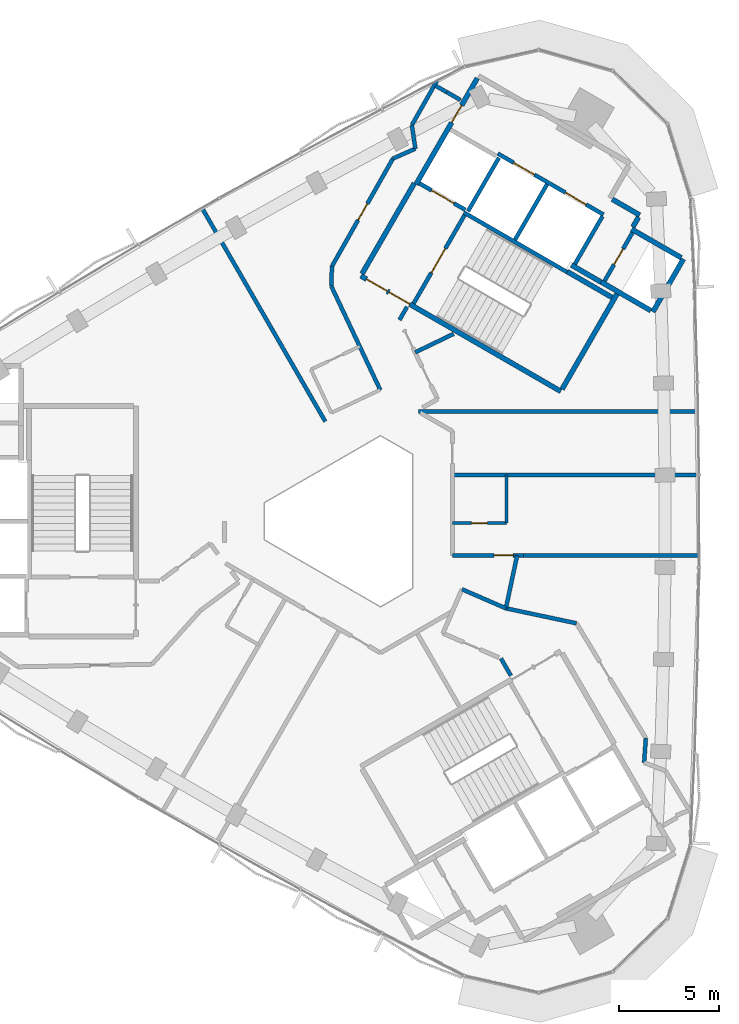
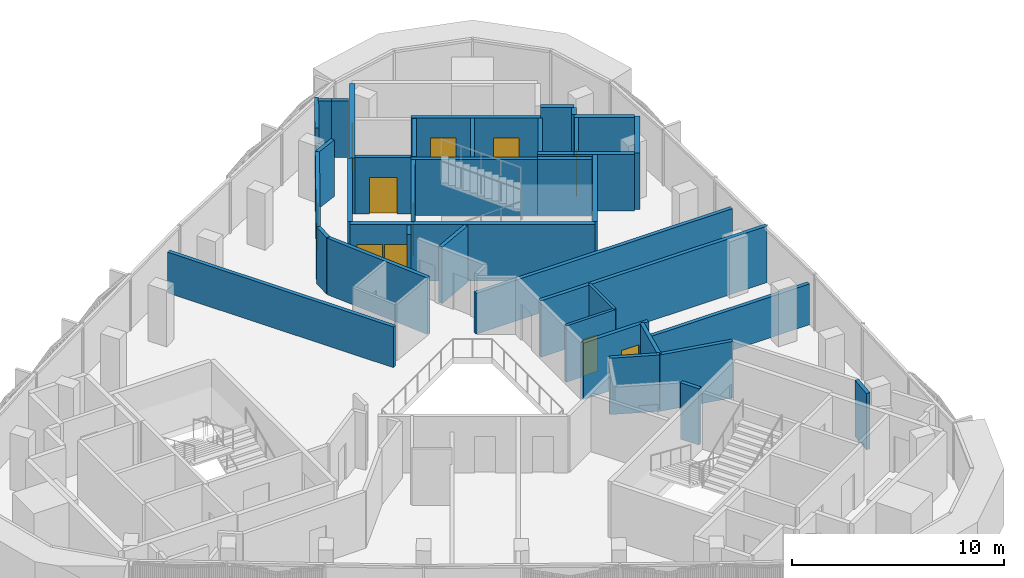
# One storey, part 8 of 12: 41 walls, 11 doors, 11 openings.
"""IFC4 building model written with IfcOpenShell, lengths in metres."""

from ifc_helpers import new_model, si_unit, direction, frame, frame_2d, origin, place, context, subcontext, project, spatial, rectangle, extrude, material, layer, layer_set, type_object, element, fill, save


model = new_model("IFC4")

# Units and contexts
model_context = context("Model", 3, precision=1e-05, world=origin(), true_north=direction((0.0, 1.0)))
body_context = subcontext(model_context, "Body", "Model", "MODEL_VIEW")
ifc_project = project(units=[si_unit("LENGTHUNIT", "METRE"), si_unit("AREAUNIT", "SQUARE_METRE"), si_unit("VOLUMEUNIT", "CUBIC_METRE"), si_unit("PLANEANGLEUNIT", "RADIAN"), si_unit("MASSUNIT", "GRAM", prefix="KILO")], contexts=[model_context])

# Site, building, storey
site_placement = place(None, origin())
site = spatial("IfcSite", under=ifc_project, at=site_placement, CompositionType="ELEMENT")
building_placement = place(site_placement, origin())
building = spatial("IfcBuilding", under=site, at=building_placement, Name="Tamra Quay Hotel Tower", CompositionType="ELEMENT")
storey_placement = place(building_placement, frame((0.0, 0.0, 269.39990234375)))
storey = spatial("IfcBuildingStorey", under=building, at=storey_placement, Name="L68", CompositionType="ELEMENT", Elevation=269.39990234375)

# Wall, openings, doors
ifc_material_1 = material(Name="Concrete M70", Category="concrete")
ifc_layer_1 = layer(ifc_material_1, 0.199951171875)
ifc_layer_set_1 = layer_set([ifc_layer_1], Name="Concrete M70 core wall 200")
wall_type_1 = type_object("IfcWallType", Name="Concrete M70 core wall 200", PredefinedType="SHEAR", material=ifc_layer_set_1)
wall_1_placement = place(storey_placement, frame((12.552490234375, 15.341552734375, 0.0), z_axis=(0.0, 0.0, 1.0), x_axis=(-0.866030299012, 0.499991521122, 0.0)))
wall_1 = element("IfcWall", 1, at=wall_1_placement, inside=storey, type_object=wall_type_1, Name="CW2", PredefinedType="SHEAR", context=body_context, shape_type="SweptSolid", body=[
    extrude(rectangle(XDim=6.10009765625, YDim=0.199951171875, at=frame_2d((3.050048828125, 0.0))), origin(), (0.0, 0.0, 1.0), 3.25),
])
opening_1_placement = place(wall_1_placement, frame((1.0, 0.0, 0.0)))
opening_1 = element("IfcOpeningElement", 2, at=opening_1_placement, cuts=wall_1, Name="Opening LD", PredefinedType="OPENING", context=body_context, shape_type="SweptSolid", body=[
    extrude(rectangle(XDim=1.199951171875, YDim=2.10009765625, at=frame_2d((0.60009765625, 1.050048828125))), frame((0.0, 0.10986328125, 0.0), z_axis=(0.0, -1.0, 0.0), x_axis=(1.0, 0.0, 0.0)), (0.0, 0.0, 1.0), 0.219970703125),
])
opening_2_placement = place(wall_1_placement, frame((3.982177734375, 0.0, 0.0)))
opening_2 = element("IfcOpeningElement", 3, at=opening_2_placement, cuts=wall_1, Name="Opening LD", PredefinedType="OPENING", context=body_context, shape_type="SweptSolid", body=[
    extrude(rectangle(XDim=1.199951171875, YDim=2.10009765625, at=frame_2d((0.60009765625, 1.050048828125))), frame((0.0, 0.10986328125, 0.0), z_axis=(0.0, -1.0, 0.0), x_axis=(1.0, 0.0, 0.0)), (0.0, 0.0, 1.0), 0.219970703125),
])
ifc_material_2 = material(Name="Landing door LD 1200 double door sliding")
door_type_1 = type_object("IfcDoorType", Name="Landing door LD 1200 double door sliding", OperationType="DOUBLE_DOOR_SLIDING", PredefinedType="DOOR", material=ifc_material_2)
door_1_placement = place(opening_1_placement, origin())
door_1 = element("IfcDoor", 4, at=door_1_placement, inside=storey, type_object=door_type_1, Name="LD", OperationType="DOUBLE_DOOR_SLIDING", OverallHeight=2.10009765625, OverallWidth=1.199951171875, PredefinedType="DOOR", context=body_context, shape_type="SweptSolid", body=[
    extrude(rectangle(XDim=1.199951171875, YDim=2.10009765625, at=frame_2d((0.60009765625, 1.050048828125))), frame((0.0, 0.02490234375, 0.0), z_axis=(0.0, -1.0, 0.0), x_axis=(1.0, 0.0, 0.0)), (0.0, 0.0, 1.0), 0.050048828125),
])
fill(opening_1, door_1)
door_2_placement = place(opening_2_placement, origin())
door_2 = element("IfcDoor", 5, at=door_2_placement, inside=storey, type_object=door_type_1, Name="LD", OperationType="DOUBLE_DOOR_SLIDING", OverallHeight=2.10009765625, OverallWidth=1.199951171875, PredefinedType="DOOR", context=body_context, shape_type="SweptSolid", body=[
    extrude(rectangle(XDim=1.199951171875, YDim=2.10009765625, at=frame_2d((0.60009765625, 1.050048828125))), frame((0.0, 0.02490234375, 0.0), z_axis=(0.0, -1.0, 0.0), x_axis=(1.0, 0.0, 0.0)), (0.0, 0.0, 1.0), 0.050048828125),
])
fill(opening_2, door_2)

# Wall
wall_2_placement = place(storey_placement, frame((10.7431640625, 12.4599609375, 0.0), z_axis=(0.0, 0.0, 1.0), x_axis=(-0.866018848283, 0.500011354289, 0.0)))
element("IfcWall", 6, at=wall_2_placement, inside=storey, type_object=wall_type_1, Name="CW2", PredefinedType="SHEAR", context=body_context, shape_type="SweptSolid", body=[
    extrude(rectangle(XDim=5.973876953125, YDim=0.199951171875, at=frame_2d((2.98681640625, 0.0))), origin(), (0.0, 0.0, 1.0), 3.25),
])

# Wall, opening, door
wall_3_placement = place(storey_placement, frame((3.056640625, 10.89453125, 0.0), z_axis=(0.0, 0.0, 1.0), x_axis=(0.500027839223, 0.866009330205, 0.0)))
wall_3 = element("IfcWall", 7, at=wall_3_placement, inside=storey, type_object=wall_type_1, Name="CW2", PredefinedType="SHEAR", context=body_context, shape_type="SweptSolid", body=[
    extrude(rectangle(XDim=5.097900390625, YDim=0.199951171875, at=frame_2d((2.548828125, 0.0))), origin(), (0.0, 0.0, 1.0), 3.25),
])
opening_3_placement = place(wall_3_placement, frame((1.77392578125, 0.0, 0.0)))
opening_3 = element("IfcOpeningElement", 8, at=opening_3_placement, cuts=wall_3, Name="Opening FD2", PredefinedType="OPENING", context=body_context, shape_type="SweptSolid", body=[
    extrude(rectangle(XDim=1.39990234375, YDim=2.10009765625, at=frame_2d((0.699951171875, 1.050048828125))), frame((0.0, 0.10986328125, 0.0), z_axis=(0.0, -1.0, 0.0), x_axis=(1.0, 0.0, 0.0)), (0.0, 0.0, 1.0), 0.219970703125),
])
ifc_material_3 = material(Name="Core door FD2 1400x2100 LH")
door_type_2 = type_object("IfcDoorType", Name="Core door FD2 1400x2100 LH", OperationType="NOTDEFINED", PredefinedType="DOOR", material=ifc_material_3)
door_3_placement = place(opening_3_placement, origin())
door_3 = element("IfcDoor", 9, at=door_3_placement, inside=storey, type_object=door_type_2, Name="FD2", OperationType="SINGLE_SWING_LEFT", OverallHeight=2.10009765625, OverallWidth=1.39990234375, PredefinedType="DOOR", context=body_context, shape_type="SweptSolid", body=[
    extrude(rectangle(XDim=1.39990234375, YDim=2.10009765625, at=frame_2d((0.699951171875, 1.050048828125))), frame((0.0, 0.02490234375, 0.0), z_axis=(0.0, -1.0, 0.0), x_axis=(1.0, 0.0, 0.0)), (0.0, 0.0, 1.0), 0.050048828125),
])
fill(opening_3, door_3)

# Wall
wall_4_placement = place(storey_placement, frame((8.131591796875, 14.08447265625, 0.0), z_axis=(0.0, 0.0, 1.0), x_axis=(0.500030834389, 0.86600760081, 0.0)))
element("IfcWall", 10, at=wall_4_placement, inside=storey, type_object=wall_type_1, Name="CW2", PredefinedType="SHEAR", context=body_context, shape_type="SweptSolid", body=[
    extrude(rectangle(XDim=3.197998046875, YDim=0.199951171875, at=frame_2d((1.59912109375, 0.0))), origin(), (0.0, 0.0, 1.0), 3.25),
])

# Wall, opening, door
wall_5_placement = place(storey_placement, frame((14.0078125, 14.442138671875, 0.0), z_axis=(0.0, 0.0, 1.0), x_axis=(-0.499986818241, -0.866033014143, 0.0)))
wall_5 = element("IfcWall", 11, at=wall_5_placement, inside=storey, type_object=wall_type_1, Name="CW2", PredefinedType="SHEAR", context=body_context, shape_type="SweptSolid", body=[
    extrude(rectangle(XDim=2.7978515625, YDim=0.199951171875, at=frame_2d((1.39892578125, 0.0))), origin(), (0.0, 0.0, 1.0), 3.25),
])
opening_4_placement = place(wall_5_placement, frame((0.948974609375, 0.0, 0.0)))
opening_4 = element("IfcOpeningElement", 12, at=opening_4_placement, cuts=wall_5, Name="Opening D1", PredefinedType="OPENING", context=body_context, shape_type="SweptSolid", body=[
    extrude(rectangle(XDim=0.89990234375, YDim=2.10009765625, at=frame_2d((0.449951171875, 1.050048828125))), frame((0.0, 0.10986328125, 0.0), z_axis=(0.0, -1.0, 0.0), x_axis=(1.0, 0.0, 0.0)), (0.0, 0.0, 1.0), 0.219970703125),
])
ifc_material_4 = material(Name="Core door D1 900x2100 RH")
door_type_3 = type_object("IfcDoorType", Name="Core door D1 900x2100 RH", OperationType="NOTDEFINED", PredefinedType="DOOR", material=ifc_material_4)
door_4_placement = place(opening_4_placement, origin())
door_4 = element("IfcDoor", 13, at=door_4_placement, inside=storey, type_object=door_type_3, Name="D1", OperationType="SINGLE_SWING_RIGHT", OverallHeight=2.10009765625, OverallWidth=0.89990234375, PredefinedType="DOOR", context=body_context, shape_type="SweptSolid", body=[
    extrude(rectangle(XDim=0.89990234375, YDim=2.10009765625, at=frame_2d((0.449951171875, 1.050048828125))), frame((0.0, 0.02490234375, 0.0), z_axis=(0.0, -1.0, 0.0), x_axis=(1.0, 0.0, 0.0)), (0.0, 0.0, 1.0), 0.050048828125),
])
fill(opening_4, door_4)

# Walls
wall_6_placement = place(storey_placement, frame((12.50244140625, 15.2548828125, 0.0), z_axis=(0.0, 0.0, 1.0), x_axis=(-0.499965018551, -0.866045599391, 0.0)))
element("IfcWall", 14, at=wall_6_placement, inside=storey, type_object=wall_type_1, Name="CW2", PredefinedType="SHEAR", context=body_context, shape_type="SweptSolid", body=[
    extrude(rectangle(XDim=2.759033203125, YDim=0.199951171875, at=frame_2d((1.37939453125, 0.0))), origin(), (0.0, 0.0, 1.0), 3.25),
])
wall_7_placement = place(storey_placement, frame((7.324462890625, 18.1865234375, 0.0), z_axis=(0.0, 0.0, 1.0), x_axis=(-0.499967891604, -0.866043940782, 0.0)))
element("IfcWall", 15, at=wall_7_placement, inside=storey, type_object=wall_type_1, Name="CW2", PredefinedType="SHEAR", context=body_context, shape_type="SweptSolid", body=[
    extrude(rectangle(XDim=3.099853515625, YDim=0.199951171875, at=frame_2d((1.5498046875, 0.0))), origin(), (0.0, 0.0, 1.0), 3.25),
])

# Wall, opening, door
wall_8_placement = place(storey_placement, frame((5.646240234375, 15.575927734375, 0.0), z_axis=(0.0, 0.0, 1.0), x_axis=(-0.866018407898, 0.500012117035, 0.0)))
wall_8 = element("IfcWall", 16, at=wall_8_placement, inside=storey, type_object=wall_type_1, Name="CW2", PredefinedType="SHEAR", context=body_context, shape_type="SweptSolid", body=[
    extrude(rectangle(XDim=2.65087890625, YDim=0.199951171875, at=frame_2d((1.325439453125, 0.0))), origin(), (0.0, 0.0, 1.0), 3.25),
])
opening_5_placement = place(wall_8_placement, frame((0.65185546875, 0.0, 0.0)))
opening_5 = element("IfcOpeningElement", 17, at=opening_5_placement, cuts=wall_8, Name="Opening LD", PredefinedType="OPENING", context=body_context, shape_type="SweptSolid", body=[
    extrude(rectangle(XDim=1.300048828125, YDim=2.10009765625, at=frame_2d((0.64990234375, 1.050048828125))), frame((0.0, 0.10986328125, 0.0), z_axis=(0.0, -1.0, 0.0), x_axis=(1.0, 0.0, 0.0)), (0.0, 0.0, 1.0), 0.219970703125),
])
ifc_material_5 = material(Name="Landing door LD 1300 sliding to left")
door_type_4 = type_object("IfcDoorType", Name="Landing door LD 1300 sliding to left", OperationType="NOTDEFINED", PredefinedType="DOOR", material=ifc_material_5)
door_5_placement = place(opening_5_placement, origin())
door_5 = element("IfcDoor", 18, at=door_5_placement, inside=storey, type_object=door_type_4, Name="LD", OperationType="SLIDING_TO_LEFT", OverallHeight=2.10009765625, OverallWidth=1.300048828125, PredefinedType="DOOR", context=body_context, shape_type="SweptSolid", body=[
    extrude(rectangle(XDim=1.300048828125, YDim=2.10009765625, at=frame_2d((0.64990234375, 1.050048828125))), frame((0.0, 0.02490234375, 0.0), z_axis=(0.0, -1.0, 0.0), x_axis=(1.0, 0.0, 0.0)), (0.0, 0.0, 1.0), 0.050048828125),
])
fill(opening_5, door_5)

# Wall, openings, doors
ifc_layer_2 = layer(ifc_material_1, 0.25)
ifc_layer_set_2 = layer_set([ifc_layer_2], Name="Concrete M70 core wall 250")
wall_type_2 = type_object("IfcWallType", Name="Concrete M70 core wall 250", PredefinedType="SHEAR", material=ifc_layer_set_2)
wall_9_placement = place(storey_placement, frame((10.419921875, 6.497802734375, 0.0), z_axis=(0.0, 0.0, 1.0), x_axis=(-0.866021906294, 0.500006057782, 0.0)))
wall_9 = element("IfcWall", 19, at=wall_9_placement, inside=storey, type_object=wall_type_2, Name="CW1", PredefinedType="SHEAR", context=body_context, shape_type="SweptSolid", body=[
    extrude(rectangle(XDim=11.550048828125, YDim=0.25, at=frame_2d((5.77490234375, 0.0))), origin(), (0.0, 0.0, 1.0), 3.25),
])
opening_6_placement = place(wall_9_placement, frame((10.02490234375, 0.0, 0.0)))
opening_6 = element("IfcOpeningElement", 20, at=opening_6_placement, cuts=wall_9, Name="Opening FD1", PredefinedType="OPENING", context=body_context, shape_type="SweptSolid", body=[
    extrude(rectangle(XDim=1.199951171875, YDim=2.10009765625, at=frame_2d((0.60009765625, 1.050048828125))), frame((0.0, 0.135009765625, 0.0), z_axis=(0.0, -1.0, 0.0), x_axis=(1.0, 0.0, 0.0)), (0.0, 0.0, 1.0), 0.27001953125),
])
opening_7_placement = place(wall_9_placement, frame((8.724853515625, 0.0, 0.0)))
opening_7 = element("IfcOpeningElement", 21, at=opening_7_placement, cuts=wall_9, Name="Opening FD1", PredefinedType="OPENING", context=body_context, shape_type="SweptSolid", body=[
    extrude(rectangle(XDim=1.199951171875, YDim=2.10009765625, at=frame_2d((0.60009765625, 1.050048828125))), frame((0.0, 0.135009765625, 0.0), z_axis=(0.0, -1.0, 0.0), x_axis=(1.0, 0.0, 0.0)), (0.0, 0.0, 1.0), 0.27001953125),
])
ifc_material_6 = material(Name="Core door FD1 1200x2100 LH")
door_type_5 = type_object("IfcDoorType", Name="Core door FD1 1200x2100 LH", OperationType="NOTDEFINED", PredefinedType="DOOR", material=ifc_material_6)
door_6_placement = place(opening_6_placement, origin())
door_6 = element("IfcDoor", 22, at=door_6_placement, inside=storey, type_object=door_type_5, Name="FD1", OperationType="SINGLE_SWING_LEFT", OverallHeight=2.10009765625, OverallWidth=1.199951171875, PredefinedType="DOOR", context=body_context, shape_type="SweptSolid", body=[
    extrude(rectangle(XDim=1.199951171875, YDim=2.10009765625, at=frame_2d((0.60009765625, 1.050048828125))), frame((0.0, 0.02490234375, 0.0), z_axis=(0.0, -1.0, 0.0), x_axis=(1.0, 0.0, 0.0)), (0.0, 0.0, 1.0), 0.050048828125),
])
fill(opening_6, door_6)
ifc_material_7 = material(Name="Core door FD1 1200x2100 RH")
door_type_6 = type_object("IfcDoorType", Name="Core door FD1 1200x2100 RH", OperationType="NOTDEFINED", PredefinedType="DOOR", material=ifc_material_7)
door_7_placement = place(opening_7_placement, origin())
door_7 = element("IfcDoor", 23, at=door_7_placement, inside=storey, type_object=door_type_6, Name="FD1", OperationType="SINGLE_SWING_RIGHT", OverallHeight=2.10009765625, OverallWidth=1.199951171875, PredefinedType="DOOR", context=body_context, shape_type="SweptSolid", body=[
    extrude(rectangle(XDim=1.199951171875, YDim=2.10009765625, at=frame_2d((0.60009765625, 1.050048828125))), frame((0.0, 0.02490234375, 0.0), z_axis=(0.0, -1.0, 0.0), x_axis=(1.0, 0.0, 0.0)), (0.0, 0.0, 1.0), 0.050048828125),
])
fill(opening_7, door_7)

# Wall, opening, door
wall_10_placement = place(storey_placement, frame((3.178955078125, 16.856201171875, 0.0), z_axis=(0.0, 0.0, 1.0), x_axis=(0.500001955336, 0.866024274868, 0.0)))
wall_10 = element("IfcWall", 24, at=wall_10_placement, inside=storey, type_object=wall_type_2, Name="CW1", PredefinedType="SHEAR", context=body_context, shape_type="SweptSolid", body=[
    extrude(rectangle(XDim=6.12451171875, YDim=0.25, at=frame_2d((3.062255859375, 0.0))), origin(), (0.0, 0.0, 1.0), 3.25),
])
opening_8_placement = place(wall_10_placement, frame((3.562744140625, 0.0, 0.0)))
opening_8 = element("IfcOpeningElement", 25, at=opening_8_placement, cuts=wall_10, Name="Opening FD3", PredefinedType="OPENING", context=body_context, shape_type="SweptSolid", body=[
    extrude(rectangle(XDim=1.0, YDim=2.10009765625, at=frame_2d((0.5, 1.050048828125))), frame((0.0, 0.135009765625, 0.0), z_axis=(0.0, -1.0, 0.0), x_axis=(1.0, 0.0, 0.0)), (0.0, 0.0, 1.0), 0.27001953125),
])
ifc_material_8 = material(Name="Core door FD3 1000x2100 LH")
door_type_7 = type_object("IfcDoorType", Name="Core door FD3 1000x2100 LH", OperationType="NOTDEFINED", PredefinedType="DOOR", material=ifc_material_8)
door_8_placement = place(opening_8_placement, origin())
door_8 = element("IfcDoor", 26, at=door_8_placement, inside=storey, type_object=door_type_7, Name="FD3", OperationType="SINGLE_SWING_LEFT", OverallHeight=2.10009765625, OverallWidth=1.0, PredefinedType="DOOR", context=body_context, shape_type="SweptSolid", body=[
    extrude(rectangle(XDim=1.0, YDim=2.10009765625, at=frame_2d((0.5, 1.050048828125))), frame((0.0, 0.02490234375, 0.0), z_axis=(0.0, -1.0, 0.0), x_axis=(1.0, 0.0, 0.0)), (0.0, 0.0, 1.0), 0.050048828125),
])
fill(opening_8, door_8)

# Walls
wall_11_placement = place(storey_placement, frame((0.47998046875, 12.38134765625, 0.0), z_axis=(0.0, 0.0, 1.0), x_axis=(0.49999885962, 0.866026062182, 0.0)))
element("IfcWall", 27, at=wall_11_placement, inside=storey, type_object=wall_type_2, Name="CW1", PredefinedType="SHEAR", context=body_context, shape_type="SweptSolid", body=[
    extrude(rectangle(XDim=5.224609375, YDim=0.25, at=frame_2d((2.6123046875, 0.0))), origin(), (0.0, 0.0, 1.0), 3.25),
])
wall_12_placement = place(storey_placement, frame((13.237548828125, 11.3779296875, 0.0), z_axis=(0.0, 0.0, 1.0), x_axis=(-0.500008851346, -0.866020293397, 0.0)))
element("IfcWall", 28, at=wall_12_placement, inside=storey, type_object=wall_type_2, Name="CW1", PredefinedType="SHEAR", context=body_context, shape_type="SweptSolid", body=[
    extrude(rectangle(XDim=5.509765625, YDim=0.25, at=frame_2d((2.7548828125, 0.0))), origin(), (0.0, 0.0, 1.0), 3.25),
])
wall_13_placement = place(storey_placement, frame((16.552001953125, 13.118896484375, 0.0), z_axis=(0.0, 0.0, 1.0), x_axis=(-0.499978833458, -0.866037623948, 0.0)))
element("IfcWall", 29, at=wall_13_placement, inside=storey, type_object=wall_type_2, Name="CW1", PredefinedType="SHEAR", context=body_context, shape_type="SweptSolid", body=[
    extrude(rectangle(XDim=3.050048828125, YDim=0.25, at=frame_2d((1.52490234375, 0.0))), origin(), (0.0, 0.0, 1.0), 3.25),
])
wall_14_placement = place(storey_placement, frame((14.91845703125, 10.540283203125, 0.0), z_axis=(0.0, 0.0, 1.0), x_axis=(-0.866063538972, 0.499933942099, 0.0)))
element("IfcWall", 30, at=wall_14_placement, inside=storey, type_object=wall_type_2, Name="CW1", PredefinedType="SHEAR", context=body_context, shape_type="SweptSolid", body=[
    extrude(rectangle(XDim=2.86474609375, YDim=0.25, at=frame_2d((1.432373046875, 0.0))), origin(), (0.0, 0.0, 1.0), 3.25),
])
wall_15_placement = place(storey_placement, frame((13.962646484375, 14.61376953125, 0.0), z_axis=(0.0, 0.0, 1.0), x_axis=(0.866042235819, -0.499970844928, 0.0)))
element("IfcWall", 31, at=wall_15_placement, inside=storey, type_object=wall_type_2, Name="CW1", PredefinedType="SHEAR", context=body_context, shape_type="SweptSolid", body=[
    extrude(rectangle(XDim=2.864501953125, YDim=0.25, at=frame_2d((1.43212890625, 0.0))), origin(), (0.0, 0.0, 1.0), 3.25),
])
wall_16_placement = place(storey_placement, frame((10.756591796875, 12.481201171875, 0.0), z_axis=(0.0, 0.0, 1.0), x_axis=(0.866022940537, -0.500004266446, 0.0)))
element("IfcWall", 32, at=wall_16_placement, inside=storey, type_object=wall_type_2, Name="CW1", PredefinedType="SHEAR", context=body_context, shape_type="SweptSolid", body=[
    extrude(rectangle(XDim=2.57470703125, YDim=0.25, at=frame_2d((1.287353515625, 0.0))), origin(), (0.0, 0.0, 1.0), 3.25),
])
wall_17_placement = place(storey_placement, frame((12.4326171875, 11.9638671875, 0.0), z_axis=(0.0, 0.0, 1.0), x_axis=(-0.866038183914, 0.499977863513, 0.0)))
element("IfcWall", 33, at=wall_17_placement, inside=storey, type_object=wall_type_2, Name="CW1", PredefinedType="SHEAR", context=body_context, shape_type="SweptSolid", body=[
    extrude(rectangle(XDim=1.7099609375, YDim=0.25, at=frame_2d((0.85498046875, 0.0))), origin(), (0.0, 0.0, 1.0), 3.25),
])
wall_18_placement = place(storey_placement, frame((12.995361328125, 16.107666015625, 0.0), z_axis=(0.0, 0.0, 1.0), x_axis=(0.866044474677, -0.49996696679, 0.0)))
element("IfcWall", 34, at=wall_18_placement, inside=storey, type_object=wall_type_2, Name="CW1", PredefinedType="SHEAR", context=body_context, shape_type="SweptSolid", body=[
    extrude(rectangle(XDim=1.58447265625, YDim=0.25, at=frame_2d((0.792236328125, 0.0))), origin(), (0.0, 0.0, 1.0), 3.25),
])
wall_19_placement = place(storey_placement, frame((14.304931640625, 15.206787109375, 0.0), z_axis=(0.0, 0.0, 1.0), x_axis=(-0.499848422343, -0.866112899501, 0.0)))
element("IfcWall", 35, at=wall_19_placement, inside=storey, type_object=wall_type_2, Name="CW1", PredefinedType="SHEAR", context=body_context, shape_type="SweptSolid", body=[
    extrude(rectangle(XDim=0.559326171875, YDim=0.25, at=frame_2d((0.27978515625, 0.0))), origin(), (0.0, 0.0, 1.0), 3.25),
])
ifc_material_9 = material(Name="Partition corridor wall")
ifc_layer_3 = layer(ifc_material_9, 0.199951171875)
ifc_layer_set_3 = layer_set([ifc_layer_3], Name="Partition corridor wall")
wall_type_3 = type_object("IfcWallType", Name="Partition corridor wall", PredefinedType="PARTITIONING", material=ifc_layer_set_3)
wall_20_placement = place(storey_placement, frame((-1.06005859375, 11.760009765625, 0.0), z_axis=(0.0, 0.0, 1.0), x_axis=(0.426549824954, -0.904464066081, 0.0)))
element("IfcWall", 36, at=wall_20_placement, inside=storey, type_object=wall_type_3, Name="W-C", PredefinedType="PARTITIONING", context=body_context, shape_type="SweptSolid", body=[
    extrude(rectangle(XDim=5.74658203125, YDim=0.199951171875, at=frame_2d((2.873291015625, 0.0))), origin(), (0.0, 0.0, 1.0), 3.25),
])
wall_21_placement = place(storey_placement, frame((-1.06005859375, 11.760009765625, 0.0), z_axis=(0.0, 0.0, 1.0), x_axis=(0.032059906789, 0.999485949064, 0.0)))
element("IfcWall", 37, at=wall_21_placement, inside=storey, type_object=wall_type_3, Name="W-C", PredefinedType="PARTITIONING", context=body_context, shape_type="SweptSolid", body=[
    extrude(rectangle(XDim=0.99755859375, YDim=0.199951171875, at=frame_2d((0.498779296875, 0.0))), origin(), (0.0, 0.0, 1.0), 3.25),
])

# Wall, opening, door
wall_22_placement = place(storey_placement, frame((-1.027099609375, 12.757080078125, 0.0), z_axis=(0.0, 0.0, 1.0), x_axis=(0.492663063759, 0.870220147783, 0.0)))
wall_22 = element("IfcWall", 38, at=wall_22_placement, inside=storey, type_object=wall_type_3, Name="W-C", PredefinedType="PARTITIONING", context=body_context, shape_type="SweptSolid", body=[
    extrude(rectangle(XDim=6.18701171875, YDim=0.199951171875, at=frame_2d((3.093505859375, 0.0))), origin(), (0.0, 0.0, 1.0), 3.25),
])
opening_9_placement = place(wall_22_placement, frame((2.64990234375, 0.0, 0.0)))
opening_9 = element("IfcOpeningElement", 39, at=opening_9_placement, cuts=wall_22, Name="Opening L68-D008", PredefinedType="OPENING", context=body_context, shape_type="SweptSolid", body=[
    extrude(rectangle(XDim=0.949951171875, YDim=2.10009765625, at=frame_2d((0.47509765625, 1.050048828125))), frame((0.0, 0.10986328125, 0.0), z_axis=(0.0, -1.0, 0.0), x_axis=(1.0, 0.0, 0.0)), (0.0, 0.0, 1.0), 0.219970703125),
])
ifc_material_10 = material(Name="Door guest room 950x2100")
door_type_8 = type_object("IfcDoorType", Name="Door guest room 950x2100", OperationType="NOTDEFINED", PredefinedType="DOOR", material=ifc_material_10)
door_9_placement = place(opening_9_placement, origin())
door_9 = element("IfcDoor", 40, at=door_9_placement, inside=storey, type_object=door_type_8, Name="L68-D008", OperationType="SINGLE_SWING_LEFT", OverallHeight=2.10009765625, OverallWidth=0.949951171875, PredefinedType="DOOR", context=body_context, shape_type="SweptSolid", body=[
    extrude(rectangle(XDim=0.949951171875, YDim=2.10009765625, at=frame_2d((0.47509765625, 1.050048828125))), frame((0.0, 0.02490234375, 0.0), z_axis=(0.0, -1.0, 0.0), x_axis=(1.0, 0.0, 0.0)), (0.0, 0.0, 1.0), 0.050048828125),
])
fill(opening_9, door_9)

# Walls
wall_23_placement = place(storey_placement, frame((2.02099609375, 18.14111328125, 0.0), z_axis=(0.0, 0.0, 1.0), x_axis=(0.914343087003, 0.404940389748, 0.0)))
element("IfcWall", 41, at=wall_23_placement, inside=storey, type_object=wall_type_3, Name="W-C", PredefinedType="PARTITIONING", context=body_context, shape_type="SweptSolid", body=[
    extrude(rectangle(XDim=1.229248046875, YDim=0.199951171875, at=frame_2d((0.61474609375, 0.0))), origin(), (0.0, 0.0, 1.0), 3.25),
])
wall_24_placement = place(storey_placement, frame((2.35009765625, 10.071044921875, 0.0), z_axis=(0.0, 0.0, 1.0), x_axis=(0.500309905322, 0.865846405916, 0.0)))
element("IfcWall", 42, at=wall_24_placement, inside=storey, type_object=wall_type_3, Name="W-C", PredefinedType="PARTITIONING", context=body_context, shape_type="SweptSolid", body=[
    extrude(rectangle(XDim=0.75537109375, YDim=0.199951171875, at=frame_2d((0.377685546875, 0.0))), origin(), (0.0, 0.0, 1.0), 3.25),
])
wall_25_placement = place(storey_placement, frame((2.969970703125, 19.81689453125, 0.0), z_axis=(0.0, 0.0, 1.0), x_axis=(0.146986994932, -0.989138424752, 0.0)))
element("IfcWall", 43, at=wall_25_placement, inside=storey, type_object=wall_type_3, Name="W-C", PredefinedType="PARTITIONING", context=body_context, shape_type="SweptSolid", body=[
    extrude(rectangle(XDim=1.19091796875, YDim=0.199951171875, at=frame_2d((0.595458984375, 0.0))), origin(), (0.0, 0.0, 1.0), 2.35009765625),
])
wall_26_placement = place(storey_placement, frame((2.969970703125, 19.818115234375, 0.0), z_axis=(0.0, 0.0, 1.0), x_axis=(0.493215654548, 0.86990707441, 0.0)))
element("IfcWall", 44, at=wall_26_placement, inside=storey, type_object=wall_type_3, Name="W-C", PredefinedType="PARTITIONING", context=body_context, shape_type="SweptSolid", body=[
    extrude(rectangle(XDim=2.5478515625, YDim=0.199951171875, at=frame_2d((1.27392578125, 0.0))), origin(), (0.0, 0.0, 1.0), 3.25),
])
wall_27_placement = place(storey_placement, frame((4.154052734375, 21.785888671875, 0.0), z_axis=(0.0, 0.0, 1.0), x_axis=(0.868196374619, -0.496220772539, 0.0)))
element("IfcWall", 45, at=wall_27_placement, inside=storey, type_object=wall_type_3, Name="W-C", PredefinedType="PARTITIONING", context=body_context, shape_type="SweptSolid", body=[
    extrude(rectangle(XDim=0.642578125, YDim=0.199951171875, at=frame_2d((0.3212890625, 0.0))), origin(), (0.0, 0.0, 1.0), 3.25),
])
wall_28_placement = place(storey_placement, frame((4.716064453125, 21.468017578125, 0.0), z_axis=(0.0, 0.0, 1.0), x_axis=(0.865912682783, -0.500195187698, 0.0)))
element("IfcWall", 46, at=wall_28_placement, inside=storey, type_object=wall_type_3, Name="W-C", PredefinedType="PARTITIONING", context=body_context, shape_type="SweptSolid", body=[
    extrude(rectangle(XDim=0.789794921875, YDim=0.199951171875, at=frame_2d((0.39501953125, 0.0))), origin(), (0.0, 0.0, 1.0), 3.25),
])

# Wall, opening, door
wall_29_placement = place(storey_placement, frame((5.0009765625, -1.70703125, 0.0), z_axis=(0.0, 0.0, 1.0), x_axis=(1.0, 0.0, 0.0)))
wall_29 = element("IfcWall", 47, at=wall_29_placement, inside=storey, type_object=wall_type_3, Name="W-C", PredefinedType="PARTITIONING", context=body_context, shape_type="SweptSolid", body=[
    extrude(rectangle(XDim=3.56201171875, YDim=0.199951171875, at=frame_2d((1.781005859375, 0.0))), origin(), (0.0, 0.0, 1.0), 3.25),
])
opening_10_placement = place(wall_29_placement, frame((2.080078125, 0.0, 0.0)))
opening_10 = element("IfcOpeningElement", 48, at=opening_10_placement, cuts=wall_29, Name="Opening L68-D003", PredefinedType="OPENING", context=body_context, shape_type="SweptSolid", body=[
    extrude(rectangle(XDim=0.949951171875, YDim=2.10009765625, at=frame_2d((0.47509765625, 1.050048828125))), frame((0.0, 0.10986328125, 0.0), z_axis=(0.0, -1.0, 0.0), x_axis=(1.0, 0.0, 0.0)), (0.0, 0.0, 1.0), 0.219970703125),
])
door_10_placement = place(opening_10_placement, origin())
door_10 = element("IfcDoor", 49, at=door_10_placement, inside=storey, type_object=door_type_8, Name="L68-D003", OperationType="SINGLE_SWING_LEFT", OverallHeight=2.10009765625, OverallWidth=0.949951171875, PredefinedType="DOOR", context=body_context, shape_type="SweptSolid", body=[
    extrude(rectangle(XDim=0.949951171875, YDim=2.10009765625, at=frame_2d((0.47509765625, 1.050048828125))), frame((0.0, 0.02490234375, 0.0), z_axis=(0.0, -1.0, 0.0), x_axis=(1.0, 0.0, 0.0)), (0.0, 0.0, 1.0), 0.050048828125),
])
fill(opening_10, door_10)

# Walls
wall_30_placement = place(storey_placement, frame((5.47998046875, -3.404052734375, 0.0), z_axis=(0.0, 0.0, 1.0), x_axis=(0.917402729571, -0.39796008817, 0.0)))
element("IfcWall", 50, at=wall_30_placement, inside=storey, type_object=wall_type_3, Name="W-C", PredefinedType="PARTITIONING", context=body_context, shape_type="SweptSolid", body=[
    extrude(rectangle(XDim=2.389404296875, YDim=0.199951171875, at=frame_2d((1.19482421875, 0.0))), origin(), (0.0, 0.0, 1.0), 3.25),
])
wall_31_placement = place(storey_placement, frame((7.427001953125, -6.864013671875, 0.0), z_axis=(0.0, 0.0, 1.0), x_axis=(0.499942098031, -0.866058830921, 0.0)))
element("IfcWall", 51, at=wall_31_placement, inside=storey, type_object=wall_type_3, Name="W-C", PredefinedType="PARTITIONING", context=body_context, shape_type="SweptSolid", body=[
    extrude(rectangle(XDim=0.994140625, YDim=0.199951171875, at=frame_2d((0.4970703125, 0.0))), origin(), (0.0, 0.0, 1.0), 3.25),
])
wall_32_placement = place(storey_placement, frame((7.673095703125, -4.35498046875, 0.0), z_axis=(0.0, 0.0, 1.0), x_axis=(0.978232876952, -0.207510092407, 0.0)))
element("IfcWall", 52, at=wall_32_placement, inside=storey, type_object=wall_type_3, Name="W-C", PredefinedType="PARTITIONING", context=body_context, shape_type="SweptSolid", body=[
    extrude(rectangle(XDim=3.609619140625, YDim=0.199951171875, at=frame_2d((1.8046875, 0.0))), origin(), (0.0, 0.0, 1.0), 3.25),
])
wall_33_placement = place(storey_placement, frame((7.673095703125, -4.35400390625, 0.0), z_axis=(0.0, 0.0, 1.0), x_axis=(0.207939957157, 0.978141592111, 0.0)))
element("IfcWall", 53, at=wall_33_placement, inside=storey, type_object=wall_type_3, Name="W-C", PredefinedType="PARTITIONING", context=body_context, shape_type="SweptSolid", body=[
    extrude(rectangle(XDim=2.69677734375, YDim=0.199951171875, at=frame_2d((1.348388671875, 0.0))), origin(), (0.0, 0.0, 1.0), 3.25),
])
wall_34_placement = place(storey_placement, frame((14.5869140625, -12.071044921875, 0.0), z_axis=(0.0, 0.0, 1.0), x_axis=(0.070466777423, 0.997514126857, 0.0)))
element("IfcWall", 54, at=wall_34_placement, inside=storey, type_object=wall_type_3, Name="W-C", PredefinedType="PARTITIONING", context=body_context, shape_type="SweptSolid", body=[
    extrude(rectangle(XDim=1.222900390625, YDim=0.199951171875, at=frame_2d((0.611328125, 0.0))), origin(), (0.0, 0.0, 1.0), 3.25),
])

# Wall, opening, door
ifc_material_11 = material(Name="Partition en-suite wall")
ifc_layer_4 = layer(ifc_material_11, 0.14990234375)
ifc_layer_set_4 = layer_set([ifc_layer_4], Name="Partition en-suite wall")
wall_type_4 = type_object("IfcWallType", Name="Partition en-suite wall", PredefinedType="PARTITIONING", material=ifc_layer_set_4)
wall_35_placement = place(storey_placement, frame((5.0, -0.095947265625, 0.0), z_axis=(0.0, 0.0, 1.0), x_axis=(1.0, 0.0, 0.0)))
wall_35 = element("IfcWall", 55, at=wall_35_placement, inside=storey, type_object=wall_type_4, Name="W-E", PredefinedType="PARTITIONING", context=body_context, shape_type="SweptSolid", body=[
    extrude(rectangle(XDim=2.699951171875, YDim=0.14990234375, at=frame_2d((1.35009765625, 0.0))), origin(), (0.0, 0.0, 1.0), 3.25),
])
opening_11_placement = place(wall_35_placement, frame((0.949951171875, 0.0, 0.0)))
opening_11 = element("IfcOpeningElement", 56, at=opening_11_placement, cuts=wall_35, Name="Opening L68-D004", PredefinedType="OPENING", context=body_context, shape_type="SweptSolid", body=[
    extrude(rectangle(XDim=0.800048828125, YDim=2.10009765625, at=frame_2d((0.39990234375, 1.050048828125))), frame((0.0, 0.0849609375, 0.0), z_axis=(0.0, -1.0, 0.0), x_axis=(1.0, 0.0, 0.0)), (0.0, 0.0, 1.0), 0.169921875),
])
ifc_material_12 = material(Name="Door en-suite 800x2100")
door_type_9 = type_object("IfcDoorType", Name="Door en-suite 800x2100", OperationType="NOTDEFINED", PredefinedType="DOOR", material=ifc_material_12)
door_11_placement = place(opening_11_placement, origin())
door_11 = element("IfcDoor", 57, at=door_11_placement, inside=storey, type_object=door_type_9, Name="L68-D004", OperationType="SINGLE_SWING_LEFT", OverallHeight=2.10009765625, OverallWidth=0.800048828125, PredefinedType="DOOR", context=body_context, shape_type="SweptSolid", body=[
    extrude(rectangle(XDim=0.800048828125, YDim=2.10009765625, at=frame_2d((0.39990234375, 1.050048828125))), frame((0.0, 0.02490234375, 0.0), z_axis=(0.0, -1.0, 0.0), x_axis=(1.0, 0.0, 0.0)), (0.0, 0.0, 1.0), 0.050048828125),
])
fill(opening_11, door_11)

# Walls
wall_36_placement = place(storey_placement, frame((7.699951171875, -0.095947265625, 0.0), z_axis=(0.0, 0.0, 1.0), x_axis=(0.0, 1.0, 0.0)))
element("IfcWall", 58, at=wall_36_placement, inside=storey, type_object=wall_type_4, Name="W-E", PredefinedType="PARTITIONING", context=body_context, shape_type="SweptSolid", body=[
    extrude(rectangle(XDim=2.39990234375, YDim=0.14990234375, at=frame_2d((1.199951171875, 0.0))), origin(), (0.0, 0.0, 1.0), 3.25),
])
ifc_material_13 = material(Name="Partition party wall")
ifc_layer_5 = layer(ifc_material_13, 0.199951171875)
ifc_layer_set_5 = layer_set([ifc_layer_5], Name="Partition party wall")
wall_type_5 = type_object("IfcWallType", Name="Partition party wall", PredefinedType="PARTITIONING", material=ifc_layer_set_5)
wall_37_placement = place(storey_placement, frame((-7.5244140625, 15.665771484375, 0.0), z_axis=(0.0, 0.0, 1.0), x_axis=(0.499979611936, -0.866037174519, 0.0)))
element("IfcWall", 59, at=wall_37_placement, inside=storey, type_object=wall_type_5, Name="W-P", PredefinedType="PARTITIONING", context=body_context, shape_type="SweptSolid", body=[
    extrude(rectangle(XDim=12.3271484375, YDim=0.199951171875, at=frame_2d((6.16357421875, 0.0))), origin(), (0.0, 0.0, 1.0), 2.35009765625),
])
wall_38_placement = place(storey_placement, frame((3.133056640625, 8.447021484375, 0.0), z_axis=(0.0, 0.0, 1.0), x_axis=(0.900981876458, 0.433856725538, 0.0)))
element("IfcWall", 60, at=wall_38_placement, inside=storey, type_object=wall_type_5, Name="W-P", PredefinedType="PARTITIONING", context=body_context, shape_type="SweptSolid", body=[
    extrude(rectangle(XDim=2.142822265625, YDim=0.199951171875, at=frame_2d((1.0712890625, 0.0))), origin(), (0.0, 0.0, 1.0), 3.25),
])
wall_39_placement = place(storey_placement, frame((3.30810546875, 5.47998046875, 0.0), z_axis=(0.0, 0.0, 1.0), x_axis=(1.0, 0.0, 0.0)))
element("IfcWall", 61, at=wall_39_placement, inside=storey, type_object=wall_type_5, Name="W-P", PredefinedType="PARTITIONING", context=body_context, shape_type="SweptSolid", body=[
    extrude(rectangle(XDim=13.971435546875, YDim=0.199951171875, at=frame_2d((6.98583984375, 0.0))), origin(), (0.0, 0.0, 1.0), 2.35009765625),
])
wall_40_placement = place(storey_placement, frame((5.0, 2.303955078125, 0.0), z_axis=(0.0, 0.0, 1.0), x_axis=(1.0, 0.0, 0.0)))
element("IfcWall", 62, at=wall_40_placement, inside=storey, type_object=wall_type_5, Name="W-P", PredefinedType="PARTITIONING", context=body_context, shape_type="SweptSolid", body=[
    extrude(rectangle(XDim=12.3291015625, YDim=0.199951171875, at=frame_2d((6.16455078125, 0.0))), origin(), (0.0, 0.0, 1.0), 3.25),
])
wall_41_placement = place(storey_placement, frame((8.56396484375, -1.70703125, 0.0), z_axis=(0.0, 0.0, 1.0), x_axis=(1.0, 0.0, 0.0)))
element("IfcWall", 63, at=wall_41_placement, inside=storey, type_object=wall_type_5, Name="W-P", PredefinedType="PARTITIONING", context=body_context, shape_type="SweptSolid", body=[
    extrude(rectangle(XDim=8.76513671875, YDim=0.199951171875, at=frame_2d((4.382568359375, 0.0))), origin(), (0.0, 0.0, 1.0), 2.35009765625),
])

save(model, "model.ifc")
